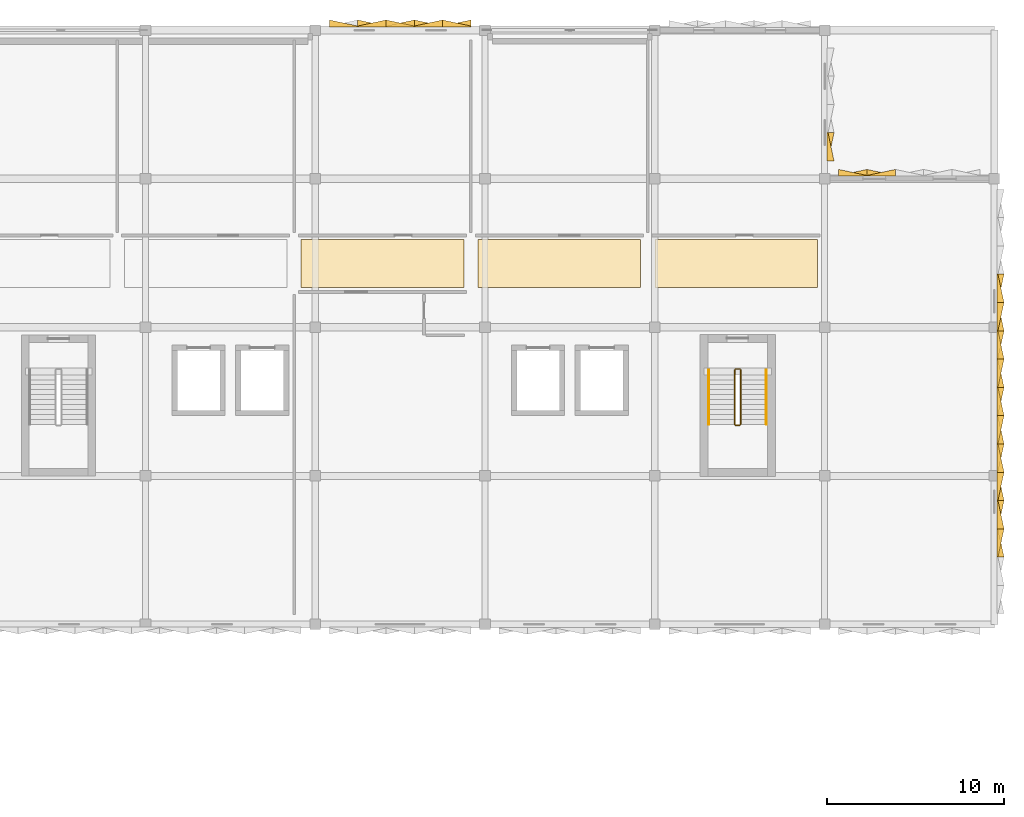
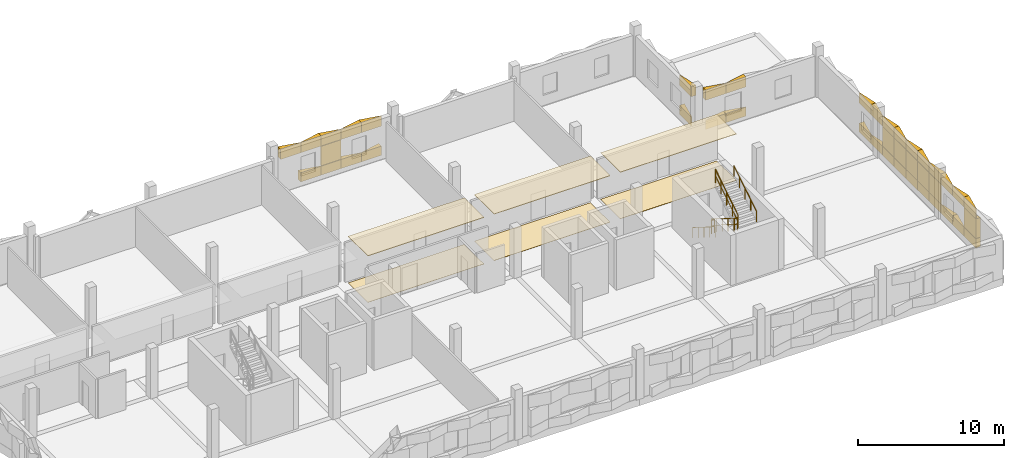
# One storey, part 17 of 18: 48 coverings, 6 railings.
"""IFC4 building model written with IfcOpenShell, lengths in metres."""

import ifcopenshell
import ifcopenshell.guid

model = None  # the IFC model being written
_history = None  # IfcOwnerHistory: only IFC2X3 demands one
_inside = {}  # id of a spatial element -> (the spatial element, [elements in it])
_under = {}  # id of a project, library or spatial element -> (it, [spatial elements below it])
_declared = {}  # id of a project -> (the project, [libraries it declares])
_typed = {}  # id of a type object -> (the type object, [elements of that type])
_made_of = {}  # id of a material, layer set ... -> (it, [elements and type objects made of it])


def new_model(schema):
    """Start an empty IFC model of exactly this schema.

    Asked for "IFC4X3", IfcOpenShell would pick the latest addendum, in which some entities
    have other attributes; the version numbers below select the first issue.
    IFC2X3 requires an IfcOwnerHistory on every rooted entity: one is made here for all.
    """
    global model, _history
    if schema == "IFC4X3":
        model = ifcopenshell.file(schema_version=(4, 3, 0, 0))
    else:
        model = ifcopenshell.file(schema=schema)
    _inside.clear()
    _under.clear()
    _declared.clear()
    _typed.clear()
    _made_of.clear()
    _history = None
    if model.schema == "IFC2X3":
        org = make("IfcOrganization", Name="unknown")
        user = make(
            "IfcPersonAndOrganization",
            ThePerson=make("IfcPerson", FamilyName="unknown"),
            TheOrganization=org,
        )
        app = make(
            "IfcApplication",
            ApplicationDeveloper=org,
            Version="unknown",
            ApplicationFullName="unknown",
            ApplicationIdentifier="unknown",
        )
        _history = make(
            "IfcOwnerHistory",
            OwningUser=user,
            OwningApplication=app,
            ChangeAction="ADDED",
            CreationDate=0,
        )
    return model


def make(cls, **values):
    """One entity of the class cls with the attributes given. An attribute that is None is left unset."""
    return model.create_entity(
        cls, **{name: value for name, value in values.items() if value is not None}
    )


def rooted(cls, **values):
    """An entity with a GlobalId (a new one), such as an element, a storey or a relation."""
    return make(cls, GlobalId=ifcopenshell.guid.new(), OwnerHistory=_history, **values)


def si_unit(unit_type, name, prefix=None):
    """IfcSIUnit, for example si_unit("LENGTHUNIT", "METRE", prefix="MILLI")."""
    return make("IfcSIUnit", UnitType=unit_type, Prefix=prefix, Name=name)


def assignment(units):
    """IfcUnitAssignment: the units of a project."""
    return None if units is None else make("IfcUnitAssignment", Units=units)


def point(xyz):
    """IfcCartesianPoint."""
    return None if xyz is None else make("IfcCartesianPoint", Coordinates=xyz)


def direction(xyz):
    """IfcDirection."""
    return None if xyz is None else make("IfcDirection", DirectionRatios=xyz)


def frame(location, z_axis=None, x_axis=None):
    """IfcAxis2Placement3D, a coordinate frame: its origin and axes. An axis left out is left unset."""
    return make(
        "IfcAxis2Placement3D",
        Location=point(location),
        Axis=direction(z_axis),
        RefDirection=direction(x_axis),
    )


def frame_2d(location, x_axis=None):
    """IfcAxis2Placement2D, a coordinate frame in the plane: its origin and x axis."""
    return make(
        "IfcAxis2Placement2D", Location=point(location), RefDirection=direction(x_axis)
    )


def origin():
    """The frame at (0, 0, 0) with its axes left unset."""
    return frame((0.0, 0.0, 0.0))


def origin_2d():
    """The frame at (0, 0) in the plane with its x axis left unset."""
    return frame_2d((0.0, 0.0))


def place(relative_to, where):
    """IfcLocalPlacement: puts the frame where relative to a parent placement (None: the world)."""
    return make(
        "IfcLocalPlacement", PlacementRelTo=relative_to, RelativePlacement=where
    )


def context(
    kind, dimensions, precision=None, world=None, true_north=None, identifier=None
):
    """IfcGeometricRepresentationContext, for example the 3D "Model" context."""
    return make(
        "IfcGeometricRepresentationContext",
        ContextIdentifier=identifier,
        ContextType=kind,
        CoordinateSpaceDimension=dimensions,
        Precision=precision,
        WorldCoordinateSystem=world,
        TrueNorth=true_north,
    )


def subcontext(parent, identifier, kind, view, scale=None):
    """IfcGeometricRepresentationSubContext, for example "Body" below "Model"."""
    return make(
        "IfcGeometricRepresentationSubContext",
        ContextIdentifier=identifier,
        ContextType=kind,
        ParentContext=parent,
        TargetScale=scale,
        TargetView=view,
    )


def project(units=None, contexts=None):
    """IfcProject with its units and contexts."""
    return rooted(
        "IfcProject",
        Name="project",
        RepresentationContexts=contexts,
        UnitsInContext=assignment(units),
    )


def spatial(cls, under=None, at=None, **own):
    """A site, building, storey or space (cls), placed at a placement, below another one or the project."""
    s = rooted(cls, ObjectPlacement=at, **own)
    if under is not None:
        _under.setdefault(under.id(), (under, []))[1].append(s)
    return s


def polyline(points):
    """IfcPolyline through the points."""
    return make("IfcPolyline", Points=[point(p) for p in points])


def profile(cls, at=None, kind="AREA", **sizes):
    """A parametric profile (cls). Its sizes go by their IFC names, for example OverallWidth=200.0."""
    return make(cls, ProfileType=kind, Position=at, **sizes)


def circle(**sizes):
    """IfcCircleProfileDef."""
    return profile("IfcCircleProfileDef", **sizes)


def outline(outer, holes=None, kind="AREA"):
    """IfcArbitraryClosedProfileDef: a profile drawn as a closed curve; with holes, ...WithVoids."""
    if holes is None:
        return make("IfcArbitraryClosedProfileDef", ProfileType=kind, OuterCurve=outer)
    return make(
        "IfcArbitraryProfileDefWithVoids",
        ProfileType=kind,
        OuterCurve=outer,
        InnerCurves=holes,
    )


def extrude(swept, where, along, depth):
    """IfcExtrudedAreaSolid: the profile swept, set in the frame where, extruded along a direction by depth."""
    return make(
        "IfcExtrudedAreaSolid",
        SweptArea=swept,
        Position=where,
        ExtrudedDirection=direction(along),
        Depth=depth,
    )


def shape(context_of_items, identifier, shape_type, items):
    """IfcShapeRepresentation: the items that make up one representation, for example the "Body"."""
    return make(
        "IfcShapeRepresentation",
        ContextOfItems=context_of_items,
        RepresentationIdentifier=identifier,
        RepresentationType=shape_type,
        Items=items,
    )


def material(Name=None, Category=None):
    """IfcMaterial."""
    return make("IfcMaterial", Name=Name, Category=Category)


def layer(
    of_material, thickness, ventilated=None, Name=None, Category=None, Priority=None
):
    """IfcMaterialLayer: one layer of a wall or slab, of a material (None: an air gap)."""
    return make(
        "IfcMaterialLayer",
        Material=of_material,
        LayerThickness=thickness,
        IsVentilated=ventilated,
        Name=Name,
        Category=Category,
        Priority=Priority,
    )


def layer_set(layers, Name=None):
    """IfcMaterialLayerSet."""
    return make("IfcMaterialLayerSet", MaterialLayers=layers, LayerSetName=Name)


def made_of(thing, what):
    """Note that an element or type object is made of a material, layer set ...; save() writes the relation."""
    if what is not None:
        _made_of.setdefault(what.id(), (what, []))[1].append(thing)
    return thing


def type_object(cls, material=None, **own):
    """A type object (cls), such as IfcWallType, which elements share."""
    return made_of(rooted(cls, **own), material)


def element(
    cls,
    number,
    at=None,
    inside=None,
    cuts=None,
    type_object=None,
    material=None,
    context=None,
    identifier="Body",
    shape_type=None,
    held_by="IfcProductDefinitionShape",
    body=None,
    shapes=None,
    **own,
):
    """One element of the class cls, such as IfcWall. Its Tag is "e" and its number.

    at: its placement. inside: the storey or other place that contains it. cuts: it is an
    opening in that element (IfcRelVoidsElement). A single representation is given by context,
    identifier, shape_type and body (its items); several are given by shapes. held_by: the class
    of the entity that holds the representations. save() writes the other relations.
    """
    e = rooted(cls, Tag="e%d" % number, ObjectPlacement=at, **own)
    if body is not None:
        shapes = [shape(context, identifier, shape_type, body)]
    if shapes is not None:
        e.Representation = make(held_by, Representations=shapes)
    if inside is not None:
        _inside.setdefault(inside.id(), (inside, []))[1].append(e)
    if cuts is not None:
        rooted(
            "IfcRelVoidsElement", RelatingBuildingElement=cuts, RelatedOpeningElement=e
        )
    if type_object is not None:
        _typed.setdefault(type_object.id(), (type_object, []))[1].append(e)
    return made_of(e, material)


def aggregate(whole, parts):
    """IfcRelAggregates: a whole, such as a stair, and the parts it consists of."""
    return rooted("IfcRelAggregates", RelatingObject=whole, RelatedObjects=parts)


def save(model, path):
    """Write the relations noted so far, then the file.

    IfcRelAggregates (storeys below a building ...), IfcRelContainedInSpatialStructure (elements
    in a storey), IfcRelDefinesByType, IfcRelAssociatesMaterial and IfcRelDeclares: one each for
    every whole, place, type object, material and project.
    """
    for whole, parts in _under.values():
        aggregate(whole, parts)
    for where, things in _inside.values():
        rooted(
            "IfcRelContainedInSpatialStructure",
            RelatedElements=things,
            RelatingStructure=where,
        )
    for kind, things in _typed.values():
        rooted("IfcRelDefinesByType", RelatedObjects=things, RelatingType=kind)
    for what, things in _made_of.values():
        rooted("IfcRelAssociatesMaterial", RelatedObjects=things, RelatingMaterial=what)
    for by, libraries in _declared.values():
        rooted("IfcRelDeclares", RelatingContext=by, RelatedDefinitions=libraries)
    model.write(path)


model = new_model("IFC4")

# Units and contexts
model_context = context("Model", 3, precision=1e-05, world=origin(), true_north=direction((0.0, 1.0)))
body_context = subcontext(model_context, "Body", "Model", "MODEL_VIEW")
ifc_project = project(units=[si_unit("LENGTHUNIT", "METRE"), si_unit("AREAUNIT", "SQUARE_METRE"), si_unit("VOLUMEUNIT", "CUBIC_METRE"), si_unit("PLANEANGLEUNIT", "RADIAN"), si_unit("MASSUNIT", "GRAM", prefix="KILO")], contexts=[model_context])

# Site, building, storey
site_placement = place(None, origin())
site = spatial("IfcSite", under=ifc_project, at=site_placement, CompositionType="ELEMENT")
building_placement = place(site_placement, origin())
building = spatial("IfcBuilding", under=site, at=building_placement, Name="Oolite Switchyard Hospital", CompositionType="ELEMENT")
storey_placement = place(building_placement, frame((0.0, 0.0, 26.199951171875)))
storey = spatial("IfcBuildingStorey", under=building, at=storey_placement, Name="L06", CompositionType="ELEMENT", Elevation=26.199951171875)

# Coverings
ifc_material_1 = material(Name="Hygienic washable mineral-fibre acoustic ceiling")
ifc_layer_1 = layer(ifc_material_1, 0.0400390625)
ifc_layer_set_1 = layer_set([ifc_layer_1], Name="COV-CEIL-AC60")
covering_type_1 = type_object("IfcCoveringType", Name="COV-CEIL-AC60", PredefinedType="CEILING", material=ifc_layer_set_1)
covering_1_placement = place(storey_placement, frame((0.0, 0.0, 3.885009765625)))
element("IfcCovering", 1, at=covering_1_placement, inside=storey, type_object=covering_type_1, Name="L06 East Stroke and Neuro-Rehab Ward Corridor Ceiling 4", PredefinedType="CEILING", context=body_context, shape_type="SweptSolid", body=[
    extrude(outline(polyline([(172.0, 119.85009765625), (181.199951171875, 119.85009765625), (181.199951171875, 122.550048828125), (172.0, 122.550048828125), (172.0, 119.85009765625)])), origin(), (0.0, 0.0, 1.0), 0.0400390625),
])
covering_2_placement = place(storey_placement, frame((0.0, 0.0, 3.885009765625)))
element("IfcCovering", 2, at=covering_2_placement, inside=storey, type_object=covering_type_1, Name="L06 East Stroke and Neuro-Rehab Ward Corridor Ceiling 5", PredefinedType="CEILING", context=body_context, shape_type="SweptSolid", body=[
    extrude(outline(polyline([(182.0, 119.85009765625), (191.199951171875, 119.85009765625), (191.199951171875, 122.550048828125), (182.0, 122.550048828125), (182.0, 119.85009765625)])), origin(), (0.0, 0.0, 1.0), 0.0400390625),
])
covering_3_placement = place(storey_placement, frame((0.0, 0.0, 3.885009765625)))
element("IfcCovering", 3, at=covering_3_placement, inside=storey, type_object=covering_type_1, Name="L06 East Stroke and Neuro-Rehab Ward Corridor Ceiling 6", PredefinedType="CEILING", context=body_context, shape_type="SweptSolid", body=[
    extrude(outline(polyline([(192.0, 119.85009765625), (201.199951171875, 119.85009765625), (201.199951171875, 122.550048828125), (192.0, 122.550048828125), (192.0, 119.85009765625)])), origin(), (0.0, 0.0, 1.0), 0.0400390625),
])
ifc_material_2 = material(Name="Precast oolitic limestone architectural concrete C40/50", Category="masonry")
covering_type_2 = type_object("IfcCoveringType", Name="COV-CHEV-COOL", PredefinedType="CLADDING", material=ifc_material_2)
covering_4_placement = place(storey_placement, frame((202.39990234375, 126.139892578125, 0.050048828125), z_axis=(0.0, 0.0, 1.0), x_axis=(1.0, 0.0, 0.0)))
element("IfcCovering", 4, at=covering_4_placement, inside=storey, type_object=covering_type_2, Name="L06 Chevron Precast Oolite Panel 1523", PredefinedType="CLADDING", context=body_context, shape_type="SweptSolid", body=[
    extrude(outline(polyline([(0.0, 0.0), (1.60009765625, 0.0), (1.60009765625, 0.385009765625), (0.0, 0.044921875), (0.0, 0.0)])), origin(), (0.0, 0.0, 1.0), 0.760009765625),
])
covering_5_placement = place(storey_placement, frame((202.39990234375, 126.139892578125, 2.489990234375), z_axis=(0.0, 0.0, 1.0), x_axis=(1.0, 0.0, 0.0)))
element("IfcCovering", 5, at=covering_5_placement, inside=storey, type_object=covering_type_2, Name="L06 Chevron Precast Oolite Panel 1524", PredefinedType="CLADDING", context=body_context, shape_type="SweptSolid", body=[
    extrude(outline(polyline([(0.0, 0.0), (1.60009765625, 0.0), (1.60009765625, 0.044921875), (0.0, 0.385009765625), (0.0, 0.0)])), origin(), (0.0, 0.0, 1.0), 0.85009765625),
])
covering_6_placement = place(storey_placement, frame((204.0, 126.139892578125, 0.050048828125), z_axis=(0.0, 0.0, 1.0), x_axis=(1.0, 0.0, 0.0)))
element("IfcCovering", 6, at=covering_6_placement, inside=storey, type_object=covering_type_2, Name="L06 Chevron Precast Oolite Panel 1525", PredefinedType="CLADDING", context=body_context, shape_type="SweptSolid", body=[
    extrude(outline(polyline([(0.0, 0.0), (1.60009765625, 0.0), (1.60009765625, 0.044921875), (0.0, 0.385009765625), (0.0, 0.0)])), origin(), (0.0, 0.0, 1.0), 0.760009765625),
])
covering_7_placement = place(storey_placement, frame((204.0, 126.139892578125, 2.489990234375), z_axis=(0.0, 0.0, 1.0), x_axis=(1.0, 0.0, 0.0)))
element("IfcCovering", 7, at=covering_7_placement, inside=storey, type_object=covering_type_2, Name="L06 Chevron Precast Oolite Panel 1526", PredefinedType="CLADDING", context=body_context, shape_type="SweptSolid", body=[
    extrude(outline(polyline([(0.0, 0.0), (1.60009765625, 0.0), (1.60009765625, 0.385009765625), (0.0, 0.044921875), (0.0, 0.0)])), origin(), (0.0, 0.0, 1.0), 0.85009765625),
])
covering_8_placement = place(storey_placement, frame((173.60009765625, 134.590087890625, 2.489990234375), z_axis=(0.0, 0.0, 1.0), x_axis=(1.0, 0.0, 0.0)))
element("IfcCovering", 8, at=covering_8_placement, inside=storey, type_object=covering_type_2, Name="L06 Chevron Precast Oolite Panel 1554", PredefinedType="CLADDING", context=body_context, shape_type="SweptSolid", body=[
    extrude(outline(polyline([(0.0, 0.0), (1.599853515625, 0.0), (1.599853515625, 0.044921875), (0.0, 0.385009765625), (0.0, 0.0)])), origin(), (0.0, 0.0, 1.0), 0.85009765625),
])
covering_9_placement = place(storey_placement, frame((175.199951171875, 134.590087890625, 0.050048828125), z_axis=(0.0, 0.0, 1.0), x_axis=(1.0, 0.0, 0.0)))
element("IfcCovering", 9, at=covering_9_placement, inside=storey, type_object=covering_type_2, Name="L06 Chevron Precast Oolite Panel 1555", PredefinedType="CLADDING", context=body_context, shape_type="SweptSolid", body=[
    extrude(outline(polyline([(0.0, 0.0), (1.60009765625, 0.0), (1.60009765625, 0.044921875), (0.0, 0.385009765625), (0.0, 0.0)])), origin(), (0.0, 0.0, 1.0), 0.760009765625),
])
covering_10_placement = place(storey_placement, frame((175.199951171875, 134.590087890625, 2.489990234375), z_axis=(0.0, 0.0, 1.0), x_axis=(1.0, 0.0, 0.0)))
element("IfcCovering", 10, at=covering_10_placement, inside=storey, type_object=covering_type_2, Name="L06 Chevron Precast Oolite Panel 1556", PredefinedType="CLADDING", context=body_context, shape_type="SweptSolid", body=[
    extrude(outline(polyline([(0.0, 0.0), (1.60009765625, 0.0), (1.60009765625, 0.385009765625), (0.0, 0.044921875), (0.0, 0.0)])), origin(), (0.0, 0.0, 1.0), 0.85009765625),
])
covering_11_placement = place(storey_placement, frame((176.800048828125, 134.590087890625, 0.050048828125), z_axis=(0.0, 0.0, 1.0), x_axis=(1.0, 0.0, 0.0)))
element("IfcCovering", 11, at=covering_11_placement, inside=storey, type_object=covering_type_2, Name="L06 Chevron Precast Oolite Panel 1557", PredefinedType="CLADDING", context=body_context, shape_type="SweptSolid", body=[
    extrude(outline(polyline([(0.0, 0.0), (1.599853515625, 0.0), (1.599853515625, 0.385009765625), (0.0, 0.044921875), (0.0, 0.0)])), origin(), (0.0, 0.0, 1.0), 0.760009765625),
])
covering_12_placement = place(storey_placement, frame((176.800048828125, 134.590087890625, 2.489990234375), z_axis=(0.0, 0.0, 1.0), x_axis=(1.0, 0.0, 0.0)))
element("IfcCovering", 12, at=covering_12_placement, inside=storey, type_object=covering_type_2, Name="L06 Chevron Precast Oolite Panel 1558", PredefinedType="CLADDING", context=body_context, shape_type="SweptSolid", body=[
    extrude(outline(polyline([(0.0, 0.0), (1.599853515625, 0.0), (1.599853515625, 0.044921875), (0.0, 0.385009765625), (0.0, 0.0)])), origin(), (0.0, 0.0, 1.0), 0.85009765625),
])
covering_13_placement = place(storey_placement, frame((176.800048828125, 134.590087890625, 0.830078125), z_axis=(0.0, 0.0, 1.0), x_axis=(1.0, 0.0, 0.0)))
element("IfcCovering", 13, at=covering_13_placement, inside=storey, type_object=covering_type_2, Name="L06 Chevron Precast Oolite Panel 1559", PredefinedType="CLADDING", context=body_context, shape_type="SweptSolid", body=[
    extrude(outline(polyline([(0.0, 0.0), (1.599853515625, 0.0), (1.599853515625, 0.385009765625), (0.0, 0.044921875), (0.0, 0.0)])), origin(), (0.0, 0.0, 1.0), 1.639892578125),
])
covering_14_placement = place(storey_placement, frame((178.39990234375, 134.590087890625, 0.050048828125), z_axis=(0.0, 0.0, 1.0), x_axis=(1.0, 0.0, 0.0)))
element("IfcCovering", 14, at=covering_14_placement, inside=storey, type_object=covering_type_2, Name="L06 Chevron Precast Oolite Panel 1560", PredefinedType="CLADDING", context=body_context, shape_type="SweptSolid", body=[
    extrude(outline(polyline([(0.0, 0.0), (1.60009765625, 0.0), (1.60009765625, 0.044921875), (0.0, 0.385009765625), (0.0, 0.0)])), origin(), (0.0, 0.0, 1.0), 0.760009765625),
])
covering_15_placement = place(storey_placement, frame((178.39990234375, 134.590087890625, 2.489990234375), z_axis=(0.0, 0.0, 1.0), x_axis=(1.0, 0.0, 0.0)))
element("IfcCovering", 15, at=covering_15_placement, inside=storey, type_object=covering_type_2, Name="L06 Chevron Precast Oolite Panel 1561", PredefinedType="CLADDING", context=body_context, shape_type="SweptSolid", body=[
    extrude(outline(polyline([(0.0, 0.0), (1.60009765625, 0.0), (1.60009765625, 0.385009765625), (0.0, 0.044921875), (0.0, 0.0)])), origin(), (0.0, 0.0, 1.0), 0.85009765625),
])
covering_16_placement = place(storey_placement, frame((180.0, 134.590087890625, 0.050048828125), z_axis=(0.0, 0.0, 1.0), x_axis=(1.0, 0.0, 0.0)))
element("IfcCovering", 16, at=covering_16_placement, inside=storey, type_object=covering_type_2, Name="L06 Chevron Precast Oolite Panel 1562", PredefinedType="CLADDING", context=body_context, shape_type="SweptSolid", body=[
    extrude(outline(polyline([(0.0, 0.0), (1.60009765625, 0.0), (1.60009765625, 0.385009765625), (0.0, 0.044921875), (0.0, 0.0)])), origin(), (0.0, 0.0, 1.0), 0.760009765625),
])
covering_17_placement = place(storey_placement, frame((180.0, 134.590087890625, 2.489990234375), z_axis=(0.0, 0.0, 1.0), x_axis=(1.0, 0.0, 0.0)))
element("IfcCovering", 17, at=covering_17_placement, inside=storey, type_object=covering_type_2, Name="L06 Chevron Precast Oolite Panel 1563", PredefinedType="CLADDING", context=body_context, shape_type="SweptSolid", body=[
    extrude(outline(polyline([(0.0, 0.0), (1.60009765625, 0.0), (1.60009765625, 0.044921875), (0.0, 0.385009765625), (0.0, 0.0)])), origin(), (0.0, 0.0, 1.0), 0.85009765625),
])
covering_18_placement = place(storey_placement, frame((201.75, 128.60009765625, 0.050048828125), z_axis=(0.0, 0.0, 1.0), x_axis=(0.0, -1.0, 0.0)))
element("IfcCovering", 18, at=covering_18_placement, inside=storey, type_object=covering_type_2, Name="L06 Chevron Precast Oolite Panel 1654", PredefinedType="CLADDING", context=body_context, shape_type="SweptSolid", body=[
    extrude(outline(polyline([(0.0, 0.0), (1.60009765625, 0.0), (1.60009765625, 0.044921875), (0.0, 0.385009765625), (0.0, 0.0)])), origin(), (0.0, 0.0, 1.0), 0.760009765625),
])
covering_19_placement = place(storey_placement, frame((201.75, 128.60009765625, 2.489990234375), z_axis=(0.0, 0.0, 1.0), x_axis=(0.0, -1.0, 0.0)))
element("IfcCovering", 19, at=covering_19_placement, inside=storey, type_object=covering_type_2, Name="L06 Chevron Precast Oolite Panel 1655", PredefinedType="CLADDING", context=body_context, shape_type="SweptSolid", body=[
    extrude(outline(polyline([(0.0, 0.0), (1.60009765625, 0.0), (1.60009765625, 0.385009765625), (0.0, 0.044921875), (0.0, 0.0)])), origin(), (0.0, 0.0, 1.0), 0.85009765625),
])
covering_20_placement = place(storey_placement, frame((211.360107421875, 120.60009765625, 0.050048828125), z_axis=(0.0, 0.0, 1.0), x_axis=(0.0, -1.0, 0.0)))
element("IfcCovering", 20, at=covering_20_placement, inside=storey, type_object=covering_type_2, Name="L06 Chevron Precast Oolite Panel 1665", PredefinedType="CLADDING", context=body_context, shape_type="SweptSolid", body=[
    extrude(outline(polyline([(0.0, 0.0), (1.60009765625, 0.0), (1.60009765625, 0.044921875), (0.0, 0.385009765625), (0.0, 0.0)])), origin(), (0.0, 0.0, 1.0), 0.760009765625),
])
covering_21_placement = place(storey_placement, frame((211.360107421875, 120.60009765625, 2.489990234375), z_axis=(0.0, 0.0, 1.0), x_axis=(0.0, -1.0, 0.0)))
element("IfcCovering", 21, at=covering_21_placement, inside=storey, type_object=covering_type_2, Name="L06 Chevron Precast Oolite Panel 1666", PredefinedType="CLADDING", context=body_context, shape_type="SweptSolid", body=[
    extrude(outline(polyline([(0.0, 0.0), (1.60009765625, 0.0), (1.60009765625, 0.385009765625), (0.0, 0.044921875), (0.0, 0.0)])), origin(), (0.0, 0.0, 1.0), 0.85009765625),
])
covering_22_placement = place(storey_placement, frame((211.360107421875, 119.0, 0.050048828125), z_axis=(0.0, 0.0, 1.0), x_axis=(0.0, -1.0, 0.0)))
element("IfcCovering", 22, at=covering_22_placement, inside=storey, type_object=covering_type_2, Name="L06 Chevron Precast Oolite Panel 1667", PredefinedType="CLADDING", context=body_context, shape_type="SweptSolid", body=[
    extrude(outline(polyline([(0.0, 0.0), (1.60009765625, 0.0), (1.60009765625, 0.385009765625), (0.0, 0.044921875), (0.0, 0.0)])), origin(), (0.0, 0.0, 1.0), 0.760009765625),
])
covering_23_placement = place(storey_placement, frame((211.360107421875, 119.0, 2.489990234375), z_axis=(0.0, 0.0, 1.0), x_axis=(0.0, -1.0, 0.0)))
element("IfcCovering", 23, at=covering_23_placement, inside=storey, type_object=covering_type_2, Name="L06 Chevron Precast Oolite Panel 1668", PredefinedType="CLADDING", context=body_context, shape_type="SweptSolid", body=[
    extrude(outline(polyline([(0.0, 0.0), (1.60009765625, 0.0), (1.60009765625, 0.044921875), (0.0, 0.385009765625), (0.0, 0.0)])), origin(), (0.0, 0.0, 1.0), 0.85009765625),
])
covering_24_placement = place(storey_placement, frame((211.360107421875, 117.39990234375, 0.050048828125), z_axis=(0.0, 0.0, 1.0), x_axis=(0.0, -1.0, 0.0)))
element("IfcCovering", 24, at=covering_24_placement, inside=storey, type_object=covering_type_2, Name="L06 Chevron Precast Oolite Panel 1669", PredefinedType="CLADDING", context=body_context, shape_type="SweptSolid", body=[
    extrude(outline(polyline([(0.0, 0.0), (1.599853515625, 0.0), (1.599853515625, 0.044921875), (0.0, 0.385009765625), (0.0, 0.0)])), origin(), (0.0, 0.0, 1.0), 0.760009765625),
])
covering_25_placement = place(storey_placement, frame((211.360107421875, 117.39990234375, 2.489990234375), z_axis=(0.0, 0.0, 1.0), x_axis=(0.0, -1.0, 0.0)))
element("IfcCovering", 25, at=covering_25_placement, inside=storey, type_object=covering_type_2, Name="L06 Chevron Precast Oolite Panel 1670", PredefinedType="CLADDING", context=body_context, shape_type="SweptSolid", body=[
    extrude(outline(polyline([(0.0, 0.0), (1.599853515625, 0.0), (1.599853515625, 0.385009765625), (0.0, 0.044921875), (0.0, 0.0)])), origin(), (0.0, 0.0, 1.0), 0.85009765625),
])
covering_26_placement = place(storey_placement, frame((211.360107421875, 117.39990234375, 0.830078125), z_axis=(0.0, 0.0, 1.0), x_axis=(0.0, -1.0, 0.0)))
element("IfcCovering", 26, at=covering_26_placement, inside=storey, type_object=covering_type_2, Name="L06 Chevron Precast Oolite Panel 1671", PredefinedType="CLADDING", context=body_context, shape_type="SweptSolid", body=[
    extrude(outline(polyline([(0.0, 0.0), (1.599853515625, 0.0), (1.599853515625, 0.044921875), (0.0, 0.385009765625), (0.0, 0.0)])), origin(), (0.0, 0.0, 1.0), 1.639892578125),
])
covering_27_placement = place(storey_placement, frame((211.360107421875, 115.800048828125, 0.050048828125), z_axis=(0.0, 0.0, 1.0), x_axis=(0.0, -1.0, 0.0)))
element("IfcCovering", 27, at=covering_27_placement, inside=storey, type_object=covering_type_2, Name="L06 Chevron Precast Oolite Panel 1672", PredefinedType="CLADDING", context=body_context, shape_type="SweptSolid", body=[
    extrude(outline(polyline([(0.0, 0.0), (1.60009765625, 0.0), (1.60009765625, 0.385009765625), (0.0, 0.044921875), (0.0, 0.0)])), origin(), (0.0, 0.0, 1.0), 0.760009765625),
])
covering_28_placement = place(storey_placement, frame((211.360107421875, 115.800048828125, 2.489990234375), z_axis=(0.0, 0.0, 1.0), x_axis=(0.0, -1.0, 0.0)))
element("IfcCovering", 28, at=covering_28_placement, inside=storey, type_object=covering_type_2, Name="L06 Chevron Precast Oolite Panel 1673", PredefinedType="CLADDING", context=body_context, shape_type="SweptSolid", body=[
    extrude(outline(polyline([(0.0, 0.0), (1.60009765625, 0.0), (1.60009765625, 0.044921875), (0.0, 0.385009765625), (0.0, 0.0)])), origin(), (0.0, 0.0, 1.0), 0.85009765625),
])
covering_29_placement = place(storey_placement, frame((211.360107421875, 115.800048828125, 0.830078125), z_axis=(0.0, 0.0, 1.0), x_axis=(0.0, -1.0, 0.0)))
element("IfcCovering", 29, at=covering_29_placement, inside=storey, type_object=covering_type_2, Name="L06 Chevron Precast Oolite Panel 1674", PredefinedType="CLADDING", context=body_context, shape_type="SweptSolid", body=[
    extrude(outline(polyline([(0.0, 0.0), (1.60009765625, 0.0), (1.60009765625, 0.385009765625), (0.0, 0.044921875), (0.0, 0.0)])), origin(), (0.0, 0.0, 1.0), 1.639892578125),
])
covering_30_placement = place(storey_placement, frame((211.360107421875, 114.199951171875, 0.050048828125), z_axis=(0.0, 0.0, 1.0), x_axis=(0.0, -1.0, 0.0)))
element("IfcCovering", 30, at=covering_30_placement, inside=storey, type_object=covering_type_2, Name="L06 Chevron Precast Oolite Panel 1675", PredefinedType="CLADDING", context=body_context, shape_type="SweptSolid", body=[
    extrude(outline(polyline([(0.0, 0.0), (1.599853515625, 0.0), (1.599853515625, 0.044921875), (0.0, 0.385009765625), (0.0, 0.0)])), origin(), (0.0, 0.0, 1.0), 0.760009765625),
])
covering_31_placement = place(storey_placement, frame((211.360107421875, 114.199951171875, 2.489990234375), z_axis=(0.0, 0.0, 1.0), x_axis=(0.0, -1.0, 0.0)))
element("IfcCovering", 31, at=covering_31_placement, inside=storey, type_object=covering_type_2, Name="L06 Chevron Precast Oolite Panel 1676", PredefinedType="CLADDING", context=body_context, shape_type="SweptSolid", body=[
    extrude(outline(polyline([(0.0, 0.0), (1.599853515625, 0.0), (1.599853515625, 0.385009765625), (0.0, 0.044921875), (0.0, 0.0)])), origin(), (0.0, 0.0, 1.0), 0.85009765625),
])
covering_32_placement = place(storey_placement, frame((211.360107421875, 114.199951171875, 0.830078125), z_axis=(0.0, 0.0, 1.0), x_axis=(0.0, -1.0, 0.0)))
element("IfcCovering", 32, at=covering_32_placement, inside=storey, type_object=covering_type_2, Name="L06 Chevron Precast Oolite Panel 1677", PredefinedType="CLADDING", context=body_context, shape_type="SweptSolid", body=[
    extrude(outline(polyline([(0.0, 0.0), (1.599853515625, 0.0), (1.599853515625, 0.044921875), (0.0, 0.385009765625), (0.0, 0.0)])), origin(), (0.0, 0.0, 1.0), 1.639892578125),
])
covering_33_placement = place(storey_placement, frame((211.360107421875, 112.60009765625, 0.050048828125), z_axis=(0.0, 0.0, 1.0), x_axis=(0.0, -1.0, 0.0)))
element("IfcCovering", 33, at=covering_33_placement, inside=storey, type_object=covering_type_2, Name="L06 Chevron Precast Oolite Panel 1678", PredefinedType="CLADDING", context=body_context, shape_type="SweptSolid", body=[
    extrude(outline(polyline([(0.0, 0.0), (1.60009765625, 0.0), (1.60009765625, 0.385009765625), (0.0, 0.044921875), (0.0, 0.0)])), origin(), (0.0, 0.0, 1.0), 0.760009765625),
])
covering_34_placement = place(storey_placement, frame((211.360107421875, 112.60009765625, 2.489990234375), z_axis=(0.0, 0.0, 1.0), x_axis=(0.0, -1.0, 0.0)))
element("IfcCovering", 34, at=covering_34_placement, inside=storey, type_object=covering_type_2, Name="L06 Chevron Precast Oolite Panel 1679", PredefinedType="CLADDING", context=body_context, shape_type="SweptSolid", body=[
    extrude(outline(polyline([(0.0, 0.0), (1.60009765625, 0.0), (1.60009765625, 0.044921875), (0.0, 0.385009765625), (0.0, 0.0)])), origin(), (0.0, 0.0, 1.0), 0.85009765625),
])
covering_35_placement = place(storey_placement, frame((211.360107421875, 112.60009765625, 0.830078125), z_axis=(0.0, 0.0, 1.0), x_axis=(0.0, -1.0, 0.0)))
element("IfcCovering", 35, at=covering_35_placement, inside=storey, type_object=covering_type_2, Name="L06 Chevron Precast Oolite Panel 1680", PredefinedType="CLADDING", context=body_context, shape_type="SweptSolid", body=[
    extrude(outline(polyline([(0.0, 0.0), (1.60009765625, 0.0), (1.60009765625, 0.385009765625), (0.0, 0.044921875), (0.0, 0.0)])), origin(), (0.0, 0.0, 1.0), 1.639892578125),
])
covering_36_placement = place(storey_placement, frame((211.360107421875, 111.0, 0.050048828125), z_axis=(0.0, 0.0, 1.0), x_axis=(0.0, -1.0, 0.0)))
element("IfcCovering", 36, at=covering_36_placement, inside=storey, type_object=covering_type_2, Name="L06 Chevron Precast Oolite Panel 1681", PredefinedType="CLADDING", context=body_context, shape_type="SweptSolid", body=[
    extrude(outline(polyline([(0.0, 0.0), (1.60009765625, 0.0), (1.60009765625, 0.044921875), (0.0, 0.385009765625), (0.0, 0.0)])), origin(), (0.0, 0.0, 1.0), 0.760009765625),
])
covering_37_placement = place(storey_placement, frame((211.360107421875, 111.0, 2.489990234375), z_axis=(0.0, 0.0, 1.0), x_axis=(0.0, -1.0, 0.0)))
element("IfcCovering", 37, at=covering_37_placement, inside=storey, type_object=covering_type_2, Name="L06 Chevron Precast Oolite Panel 1682", PredefinedType="CLADDING", context=body_context, shape_type="SweptSolid", body=[
    extrude(outline(polyline([(0.0, 0.0), (1.60009765625, 0.0), (1.60009765625, 0.385009765625), (0.0, 0.044921875), (0.0, 0.0)])), origin(), (0.0, 0.0, 1.0), 0.85009765625),
])
covering_38_placement = place(storey_placement, frame((211.360107421875, 111.0, 0.830078125), z_axis=(0.0, 0.0, 1.0), x_axis=(0.0, -1.0, 0.0)))
element("IfcCovering", 38, at=covering_38_placement, inside=storey, type_object=covering_type_2, Name="L06 Chevron Precast Oolite Panel 1683", PredefinedType="CLADDING", context=body_context, shape_type="SweptSolid", body=[
    extrude(outline(polyline([(0.0, 0.0), (1.60009765625, 0.0), (1.60009765625, 0.044921875), (0.0, 0.385009765625), (0.0, 0.0)])), origin(), (0.0, 0.0, 1.0), 1.639892578125),
])
covering_39_placement = place(storey_placement, frame((211.360107421875, 109.39990234375, 0.050048828125), z_axis=(0.0, 0.0, 1.0), x_axis=(0.0, -1.0, 0.0)))
element("IfcCovering", 39, at=covering_39_placement, inside=storey, type_object=covering_type_2, Name="L06 Chevron Precast Oolite Panel 1684", PredefinedType="CLADDING", context=body_context, shape_type="SweptSolid", body=[
    extrude(outline(polyline([(0.0, 0.0), (1.599853515625, 0.0), (1.599853515625, 0.385009765625), (0.0, 0.044921875), (0.0, 0.0)])), origin(), (0.0, 0.0, 1.0), 0.760009765625),
])
covering_40_placement = place(storey_placement, frame((211.360107421875, 109.39990234375, 2.489990234375), z_axis=(0.0, 0.0, 1.0), x_axis=(0.0, -1.0, 0.0)))
element("IfcCovering", 40, at=covering_40_placement, inside=storey, type_object=covering_type_2, Name="L06 Chevron Precast Oolite Panel 1685", PredefinedType="CLADDING", context=body_context, shape_type="SweptSolid", body=[
    extrude(outline(polyline([(0.0, 0.0), (1.599853515625, 0.0), (1.599853515625, 0.044921875), (0.0, 0.385009765625), (0.0, 0.0)])), origin(), (0.0, 0.0, 1.0), 0.85009765625),
])
covering_41_placement = place(storey_placement, frame((211.360107421875, 107.800048828125, 0.050048828125), z_axis=(0.0, 0.0, 1.0), x_axis=(0.0, -1.0, 0.0)))
element("IfcCovering", 41, at=covering_41_placement, inside=storey, type_object=covering_type_2, Name="L06 Chevron Precast Oolite Panel 1686", PredefinedType="CLADDING", context=body_context, shape_type="SweptSolid", body=[
    extrude(outline(polyline([(0.0, 0.0), (1.60009765625, 0.0), (1.60009765625, 0.044921875), (0.0, 0.385009765625), (0.0, 0.0)])), origin(), (0.0, 0.0, 1.0), 0.760009765625),
])
covering_42_placement = place(storey_placement, frame((211.360107421875, 107.800048828125, 2.489990234375), z_axis=(0.0, 0.0, 1.0), x_axis=(0.0, -1.0, 0.0)))
element("IfcCovering", 42, at=covering_42_placement, inside=storey, type_object=covering_type_2, Name="L06 Chevron Precast Oolite Panel 1687", PredefinedType="CLADDING", context=body_context, shape_type="SweptSolid", body=[
    extrude(outline(polyline([(0.0, 0.0), (1.60009765625, 0.0), (1.60009765625, 0.385009765625), (0.0, 0.044921875), (0.0, 0.0)])), origin(), (0.0, 0.0, 1.0), 0.85009765625),
])
covering_43_placement = place(storey_placement, frame((211.360107421875, 106.199951171875, 0.050048828125), z_axis=(0.0, 0.0, 1.0), x_axis=(0.0, -1.0, 0.0)))
element("IfcCovering", 43, at=covering_43_placement, inside=storey, type_object=covering_type_2, Name="L06 Chevron Precast Oolite Panel 1688", PredefinedType="CLADDING", context=body_context, shape_type="SweptSolid", body=[
    extrude(outline(polyline([(0.0, 0.0), (1.599853515625, 0.0), (1.599853515625, 0.385009765625), (0.0, 0.044921875), (0.0, 0.0)])), origin(), (0.0, 0.0, 1.0), 0.760009765625),
])
covering_44_placement = place(storey_placement, frame((211.360107421875, 106.199951171875, 2.489990234375), z_axis=(0.0, 0.0, 1.0), x_axis=(0.0, -1.0, 0.0)))
element("IfcCovering", 44, at=covering_44_placement, inside=storey, type_object=covering_type_2, Name="L06 Chevron Precast Oolite Panel 1689", PredefinedType="CLADDING", context=body_context, shape_type="SweptSolid", body=[
    extrude(outline(polyline([(0.0, 0.0), (1.599853515625, 0.0), (1.599853515625, 0.044921875), (0.0, 0.385009765625), (0.0, 0.0)])), origin(), (0.0, 0.0, 1.0), 0.85009765625),
])
covering_45_placement = place(storey_placement, frame((211.360107421875, 106.199951171875, 0.830078125), z_axis=(0.0, 0.0, 1.0), x_axis=(0.0, -1.0, 0.0)))
element("IfcCovering", 45, at=covering_45_placement, inside=storey, type_object=covering_type_2, Name="L06 Chevron Precast Oolite Panel 1690", PredefinedType="CLADDING", context=body_context, shape_type="SweptSolid", body=[
    extrude(outline(polyline([(0.0, 0.0), (1.599853515625, 0.0), (1.599853515625, 0.385009765625), (0.0, 0.044921875), (0.0, 0.0)])), origin(), (0.0, 0.0, 1.0), 1.639892578125),
])
ifc_material_3 = material(Name="Epoxy terrazzo seamless clinical flooring")
ifc_layer_2 = layer(ifc_material_3, 0.02001953125)
ifc_layer_set_2 = layer_set([ifc_layer_2], Name="COV-FLR-TER20")
covering_type_3 = type_object("IfcCoveringType", Name="COV-FLR-TER20", PredefinedType="FLOORING", material=ifc_layer_set_2)
covering_46_placement = place(storey_placement, origin())
element("IfcCovering", 46, at=covering_46_placement, inside=storey, type_object=covering_type_3, Name="L06 East Stroke and Neuro-Rehab Ward Corridor Flooring 4", PredefinedType="FLOORING", context=body_context, shape_type="SweptSolid", body=[
    extrude(outline(polyline([(172.0, 119.85009765625), (181.199951171875, 119.85009765625), (181.199951171875, 122.550048828125), (172.0, 122.550048828125), (172.0, 119.85009765625)])), origin(), (0.0, 0.0, 1.0), 0.02001953125),
])
covering_47_placement = place(storey_placement, origin())
element("IfcCovering", 47, at=covering_47_placement, inside=storey, type_object=covering_type_3, Name="L06 East Stroke and Neuro-Rehab Ward Corridor Flooring 5", PredefinedType="FLOORING", context=body_context, shape_type="SweptSolid", body=[
    extrude(outline(polyline([(182.0, 119.85009765625), (191.199951171875, 119.85009765625), (191.199951171875, 122.550048828125), (182.0, 122.550048828125), (182.0, 119.85009765625)])), origin(), (0.0, 0.0, 1.0), 0.02001953125),
])
covering_48_placement = place(storey_placement, origin())
element("IfcCovering", 48, at=covering_48_placement, inside=storey, type_object=covering_type_3, Name="L06 East Stroke and Neuro-Rehab Ward Corridor Flooring 6", PredefinedType="FLOORING", context=body_context, shape_type="SweptSolid", body=[
    extrude(outline(polyline([(192.0, 119.85009765625), (201.199951171875, 119.85009765625), (201.199951171875, 122.550048828125), (192.0, 122.550048828125), (192.0, 119.85009765625)])), origin(), (0.0, 0.0, 1.0), 0.02001953125),
])

# Railings
ifc_material_4 = material(Name="Galvanized painted architectural steel handrail", Category="steel")
railing_type_1 = type_object("IfcRailingType", Name="RL-STAIR-GRD", PredefinedType="GUARDRAIL", material=ifc_material_4)
railing_1_placement = place(storey_placement, frame((196.510009765625, 115.18994140625, 0.175048828125)))
element("IfcRailing", 49, at=railing_1_placement, inside=storey, type_object=railing_type_1, Name="L06 ST-04 stair guard 1", PredefinedType="GUARDRAIL", context=body_context, shape_type="SweptSolid", body=[
    extrude(circle(Radius=0.02392578125, at=origin_2d()), frame((0.0, 0.0, 1.076171875), z_axis=(0.0, -0.847979421464, 0.530029150871), x_axis=(1.0, 0.0, 0.0)), (0.0, 0.0, 1.0), 3.632080078125),
    extrude(circle(Radius=0.015625, at=origin_2d()), frame((0.0, 0.0, 0.550048828125), z_axis=(0.0, -0.847979421464, 0.530029150871), x_axis=(1.0, 0.0, 0.0)), (0.0, 0.0, 1.0), 3.632080078125),
    extrude(circle(Radius=0.02099609375, at=origin_2d()), origin(), (0.0, 0.0, 1.0), 1.052001953125),
    extrude(circle(Radius=0.02099609375, at=origin_2d()), frame((0.0, -0.77001953125, 0.481201171875)), (0.0, 0.0, 1.0), 1.052001953125),
    extrude(circle(Radius=0.02099609375, at=origin_2d()), frame((0.0, -1.5400390625, 0.96240234375)), (0.0, 0.0, 1.0), 1.052001953125),
    extrude(circle(Radius=0.02099609375, at=origin_2d()), frame((0.0, -2.309814453125, 1.44384765625)), (0.0, 0.0, 1.0), 1.052001953125),
    extrude(circle(Radius=0.02099609375, at=origin_2d()), frame((0.0, -3.079833984375, 1.925048828125)), (0.0, 0.0, 1.0), 1.052001953125),
])
railing_2_placement = place(storey_placement, frame((196.56005859375, 112.06005859375, 2.10009765625)))
element("IfcRailing", 50, at=railing_2_placement, inside=storey, type_object=railing_type_1, Name="L06 ST-04 stair guard 2", PredefinedType="GUARDRAIL", context=body_context, shape_type="SweptSolid", body=[
    extrude(circle(Radius=0.02392578125, at=origin_2d()), frame((0.0, 0.0, 1.076171875), z_axis=(1.0, 0.0, 0.0), x_axis=(0.0, 1.0, 0.0)), (0.0, 0.0, 1.0), 0.239990234375),
    extrude(circle(Radius=0.015625, at=origin_2d()), frame((0.0, 0.0, 0.550048828125), z_axis=(1.0, 0.0, 0.0), x_axis=(0.0, 1.0, 0.0)), (0.0, 0.0, 1.0), 0.239990234375),
    extrude(circle(Radius=0.02099609375, at=origin_2d()), origin(), (0.0, 0.0, 1.0), 1.052001953125),
    extrude(circle(Radius=0.02099609375, at=origin_2d()), frame((0.239990234375, 0.0, 0.0)), (0.0, 0.0, 1.0), 1.052001953125),
])
railing_3_placement = place(storey_placement, frame((196.85009765625, 112.110107421875, 2.275146484375)))
element("IfcRailing", 51, at=railing_3_placement, inside=storey, type_object=railing_type_1, Name="L06 ST-04 stair guard 3", PredefinedType="GUARDRAIL", context=body_context, shape_type="SweptSolid", body=[
    extrude(circle(Radius=0.02392578125, at=origin_2d()), frame((0.0, 0.0, 1.076171875), z_axis=(0.0, 0.848009633417, 0.529980812513), x_axis=(-1.0, 0.0, 0.0)), (0.0, 0.0, 1.0), 3.6318359375),
    extrude(circle(Radius=0.015625, at=origin_2d()), frame((0.0, 0.0, 0.550048828125), z_axis=(0.0, 0.848009633417, 0.529980812513), x_axis=(-1.0, 0.0, 0.0)), (0.0, 0.0, 1.0), 3.6318359375),
    extrude(circle(Radius=0.02099609375, at=origin_2d()), origin(), (0.0, 0.0, 1.0), 1.052001953125),
    extrude(circle(Radius=0.02099609375, at=origin_2d()), frame((0.0, 0.77001953125, 0.481201171875)), (0.0, 0.0, 1.0), 1.052001953125),
    extrude(circle(Radius=0.02099609375, at=origin_2d()), frame((0.0, 1.5400390625, 0.96240234375)), (0.0, 0.0, 1.0), 1.052001953125),
    extrude(circle(Radius=0.02099609375, at=origin_2d()), frame((0.0, 2.309814453125, 1.443603515625)), (0.0, 0.0, 1.0), 1.052001953125),
    extrude(circle(Radius=0.02099609375, at=origin_2d()), frame((0.0, 3.079833984375, 1.9248046875)), (0.0, 0.0, 1.0), 1.052001953125),
])
railing_4_placement = place(storey_placement, frame((196.56005859375, 115.239990234375, 0.0)))
element("IfcRailing", 52, at=railing_4_placement, inside=storey, type_object=railing_type_1, Name="L06 ST-04 stair guard 4", PredefinedType="GUARDRAIL", context=body_context, shape_type="SweptSolid", body=[
    extrude(circle(Radius=0.02392578125, at=origin_2d()), frame((0.0, 0.0, 1.076171875), z_axis=(1.0, 0.0, 0.0), x_axis=(0.0, 1.0, 0.0)), (0.0, 0.0, 1.0), 0.239990234375),
    extrude(circle(Radius=0.015625, at=origin_2d()), frame((0.0, 0.0, 0.550048828125), z_axis=(1.0, 0.0, 0.0), x_axis=(0.0, 1.0, 0.0)), (0.0, 0.0, 1.0), 0.239990234375),
    extrude(circle(Radius=0.02099609375, at=origin_2d()), origin(), (0.0, 0.0, 1.0), 1.052001953125),
    extrude(circle(Radius=0.02099609375, at=origin_2d()), frame((0.239990234375, 0.0, 0.0)), (0.0, 0.0, 1.0), 1.052001953125),
])
railing_type_2 = type_object("IfcRailingType", Name="RL-STAIR-HND", PredefinedType="HANDRAIL", material=ifc_material_4)
railing_5_placement = place(storey_placement, frame((195.050048828125, 115.18994140625, 0.175048828125)))
element("IfcRailing", 53, at=railing_5_placement, inside=storey, type_object=railing_type_2, Name="L06 ST-04 stair handrail 1", PredefinedType="HANDRAIL", context=body_context, shape_type="SweptSolid", body=[
    extrude(circle(Radius=0.02392578125, at=origin_2d()), frame((0.0, 0.0, 0.8759765625), z_axis=(0.0, -0.847979421464, 0.530029150871), x_axis=(1.0, 0.0, 0.0)), (0.0, 0.0, 1.0), 3.632080078125),
    extrude(circle(Radius=0.02099609375, at=origin_2d()), origin(), (0.0, 0.0, 1.0), 0.851806640625),
    extrude(circle(Radius=0.02099609375, at=origin_2d()), frame((0.0, -0.77001953125, 0.481201171875)), (0.0, 0.0, 1.0), 0.851806640625),
    extrude(circle(Radius=0.02099609375, at=origin_2d()), frame((0.0, -1.5400390625, 0.96240234375)), (0.0, 0.0, 1.0), 0.851806640625),
    extrude(circle(Radius=0.02099609375, at=origin_2d()), frame((0.0, -2.309814453125, 1.44384765625)), (0.0, 0.0, 1.0), 0.851806640625),
    extrude(circle(Radius=0.02099609375, at=origin_2d()), frame((0.0, -3.079833984375, 1.925048828125)), (0.0, 0.0, 1.0), 0.851806640625),
])
railing_6_placement = place(storey_placement, frame((198.31005859375, 112.110107421875, 2.275146484375)))
element("IfcRailing", 54, at=railing_6_placement, inside=storey, type_object=railing_type_2, Name="L06 ST-04 stair handrail 2", PredefinedType="HANDRAIL", context=body_context, shape_type="SweptSolid", body=[
    extrude(circle(Radius=0.02392578125, at=origin_2d()), frame((0.0, 0.0, 0.8759765625), z_axis=(0.0, 0.848009633417, 0.529980812513), x_axis=(-1.0, 0.0, 0.0)), (0.0, 0.0, 1.0), 3.6318359375),
    extrude(circle(Radius=0.02099609375, at=origin_2d()), origin(), (0.0, 0.0, 1.0), 0.851806640625),
    extrude(circle(Radius=0.02099609375, at=origin_2d()), frame((0.0, 0.77001953125, 0.481201171875)), (0.0, 0.0, 1.0), 0.851806640625),
    extrude(circle(Radius=0.02099609375, at=origin_2d()), frame((0.0, 1.5400390625, 0.96240234375)), (0.0, 0.0, 1.0), 0.851806640625),
    extrude(circle(Radius=0.02099609375, at=origin_2d()), frame((0.0, 2.309814453125, 1.443603515625)), (0.0, 0.0, 1.0), 0.851806640625),
    extrude(circle(Radius=0.02099609375, at=origin_2d()), frame((0.0, 3.079833984375, 1.9248046875)), (0.0, 0.0, 1.0), 0.851806640625),
])

save(model, "model.ifc")
